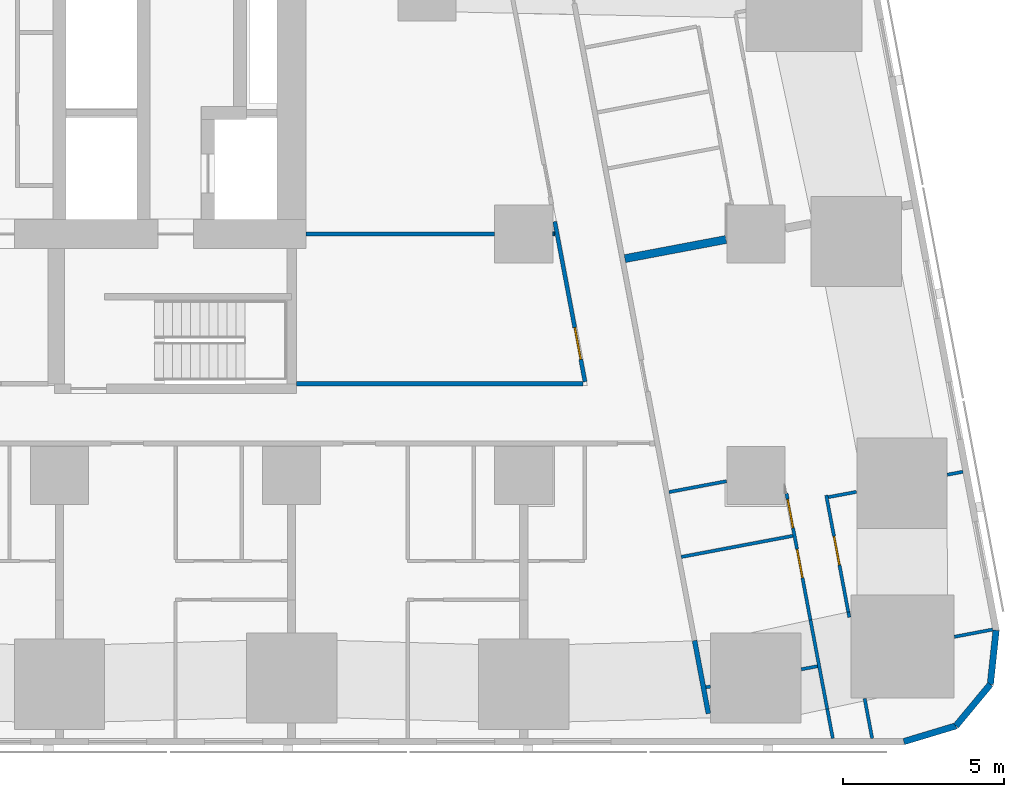
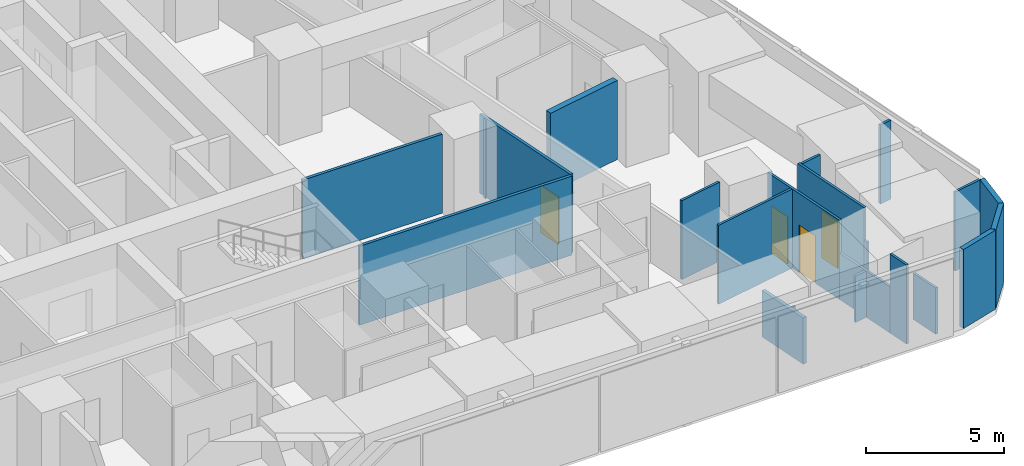
# One storey, part 6 of 15: 22 walls, 4 doors, 4 openings.
"""IFC4 building model written with IfcOpenShell, lengths in metres."""

import ifcopenshell
import ifcopenshell.guid

model = None  # the IFC model being written
_history = None  # IfcOwnerHistory: only IFC2X3 demands one
_inside = {}  # id of a spatial element -> (the spatial element, [elements in it])
_under = {}  # id of a project, library or spatial element -> (it, [spatial elements below it])
_declared = {}  # id of a project -> (the project, [libraries it declares])
_typed = {}  # id of a type object -> (the type object, [elements of that type])
_made_of = {}  # id of a material, layer set ... -> (it, [elements and type objects made of it])


def new_model(schema):
    """Start an empty IFC model of exactly this schema.

    Asked for "IFC4X3", IfcOpenShell would pick the latest addendum, in which some entities
    have other attributes; the version numbers below select the first issue.
    IFC2X3 requires an IfcOwnerHistory on every rooted entity: one is made here for all.
    """
    global model, _history
    if schema == "IFC4X3":
        model = ifcopenshell.file(schema_version=(4, 3, 0, 0))
    else:
        model = ifcopenshell.file(schema=schema)
    _inside.clear()
    _under.clear()
    _declared.clear()
    _typed.clear()
    _made_of.clear()
    _history = None
    if model.schema == "IFC2X3":
        org = make("IfcOrganization", Name="unknown")
        user = make(
            "IfcPersonAndOrganization",
            ThePerson=make("IfcPerson", FamilyName="unknown"),
            TheOrganization=org,
        )
        app = make(
            "IfcApplication",
            ApplicationDeveloper=org,
            Version="unknown",
            ApplicationFullName="unknown",
            ApplicationIdentifier="unknown",
        )
        _history = make(
            "IfcOwnerHistory",
            OwningUser=user,
            OwningApplication=app,
            ChangeAction="ADDED",
            CreationDate=0,
        )
    return model


def make(cls, **values):
    """One entity of the class cls with the attributes given. An attribute that is None is left unset."""
    return model.create_entity(
        cls, **{name: value for name, value in values.items() if value is not None}
    )


def rooted(cls, **values):
    """An entity with a GlobalId (a new one), such as an element, a storey or a relation."""
    return make(cls, GlobalId=ifcopenshell.guid.new(), OwnerHistory=_history, **values)


def si_unit(unit_type, name, prefix=None):
    """IfcSIUnit, for example si_unit("LENGTHUNIT", "METRE", prefix="MILLI")."""
    return make("IfcSIUnit", UnitType=unit_type, Prefix=prefix, Name=name)


def assignment(units):
    """IfcUnitAssignment: the units of a project."""
    return None if units is None else make("IfcUnitAssignment", Units=units)


def point(xyz):
    """IfcCartesianPoint."""
    return None if xyz is None else make("IfcCartesianPoint", Coordinates=xyz)


def direction(xyz):
    """IfcDirection."""
    return None if xyz is None else make("IfcDirection", DirectionRatios=xyz)


def frame(location, z_axis=None, x_axis=None):
    """IfcAxis2Placement3D, a coordinate frame: its origin and axes. An axis left out is left unset."""
    return make(
        "IfcAxis2Placement3D",
        Location=point(location),
        Axis=direction(z_axis),
        RefDirection=direction(x_axis),
    )


def frame_2d(location, x_axis=None):
    """IfcAxis2Placement2D, a coordinate frame in the plane: its origin and x axis."""
    return make(
        "IfcAxis2Placement2D", Location=point(location), RefDirection=direction(x_axis)
    )


def origin():
    """The frame at (0, 0, 0) with its axes left unset."""
    return frame((0.0, 0.0, 0.0))


def place(relative_to, where):
    """IfcLocalPlacement: puts the frame where relative to a parent placement (None: the world)."""
    return make(
        "IfcLocalPlacement", PlacementRelTo=relative_to, RelativePlacement=where
    )


def context(
    kind, dimensions, precision=None, world=None, true_north=None, identifier=None
):
    """IfcGeometricRepresentationContext, for example the 3D "Model" context."""
    return make(
        "IfcGeometricRepresentationContext",
        ContextIdentifier=identifier,
        ContextType=kind,
        CoordinateSpaceDimension=dimensions,
        Precision=precision,
        WorldCoordinateSystem=world,
        TrueNorth=true_north,
    )


def subcontext(parent, identifier, kind, view, scale=None):
    """IfcGeometricRepresentationSubContext, for example "Body" below "Model"."""
    return make(
        "IfcGeometricRepresentationSubContext",
        ContextIdentifier=identifier,
        ContextType=kind,
        ParentContext=parent,
        TargetScale=scale,
        TargetView=view,
    )


def project(units=None, contexts=None):
    """IfcProject with its units and contexts."""
    return rooted(
        "IfcProject",
        Name="project",
        RepresentationContexts=contexts,
        UnitsInContext=assignment(units),
    )


def spatial(cls, under=None, at=None, **own):
    """A site, building, storey or space (cls), placed at a placement, below another one or the project."""
    s = rooted(cls, ObjectPlacement=at, **own)
    if under is not None:
        _under.setdefault(under.id(), (under, []))[1].append(s)
    return s


def profile(cls, at=None, kind="AREA", **sizes):
    """A parametric profile (cls). Its sizes go by their IFC names, for example OverallWidth=200.0."""
    return make(cls, ProfileType=kind, Position=at, **sizes)


def rectangle(**sizes):
    """IfcRectangleProfileDef."""
    return profile("IfcRectangleProfileDef", **sizes)


def extrude(swept, where, along, depth):
    """IfcExtrudedAreaSolid: the profile swept, set in the frame where, extruded along a direction by depth."""
    return make(
        "IfcExtrudedAreaSolid",
        SweptArea=swept,
        Position=where,
        ExtrudedDirection=direction(along),
        Depth=depth,
    )


def shape(context_of_items, identifier, shape_type, items):
    """IfcShapeRepresentation: the items that make up one representation, for example the "Body"."""
    return make(
        "IfcShapeRepresentation",
        ContextOfItems=context_of_items,
        RepresentationIdentifier=identifier,
        RepresentationType=shape_type,
        Items=items,
    )


def material(Name=None, Category=None):
    """IfcMaterial."""
    return make("IfcMaterial", Name=Name, Category=Category)


def layer(
    of_material, thickness, ventilated=None, Name=None, Category=None, Priority=None
):
    """IfcMaterialLayer: one layer of a wall or slab, of a material (None: an air gap)."""
    return make(
        "IfcMaterialLayer",
        Material=of_material,
        LayerThickness=thickness,
        IsVentilated=ventilated,
        Name=Name,
        Category=Category,
        Priority=Priority,
    )


def layer_set(layers, Name=None):
    """IfcMaterialLayerSet."""
    return make("IfcMaterialLayerSet", MaterialLayers=layers, LayerSetName=Name)


def made_of(thing, what):
    """Note that an element or type object is made of a material, layer set ...; save() writes the relation."""
    if what is not None:
        _made_of.setdefault(what.id(), (what, []))[1].append(thing)
    return thing


def type_object(cls, material=None, **own):
    """A type object (cls), such as IfcWallType, which elements share."""
    return made_of(rooted(cls, **own), material)


def element(
    cls,
    number,
    at=None,
    inside=None,
    cuts=None,
    type_object=None,
    material=None,
    context=None,
    identifier="Body",
    shape_type=None,
    held_by="IfcProductDefinitionShape",
    body=None,
    shapes=None,
    **own,
):
    """One element of the class cls, such as IfcWall. Its Tag is "e" and its number.

    at: its placement. inside: the storey or other place that contains it. cuts: it is an
    opening in that element (IfcRelVoidsElement). A single representation is given by context,
    identifier, shape_type and body (its items); several are given by shapes. held_by: the class
    of the entity that holds the representations. save() writes the other relations.
    """
    e = rooted(cls, Tag="e%d" % number, ObjectPlacement=at, **own)
    if body is not None:
        shapes = [shape(context, identifier, shape_type, body)]
    if shapes is not None:
        e.Representation = make(held_by, Representations=shapes)
    if inside is not None:
        _inside.setdefault(inside.id(), (inside, []))[1].append(e)
    if cuts is not None:
        rooted(
            "IfcRelVoidsElement", RelatingBuildingElement=cuts, RelatedOpeningElement=e
        )
    if type_object is not None:
        _typed.setdefault(type_object.id(), (type_object, []))[1].append(e)
    return made_of(e, material)


def fill(opening, filler):
    """IfcRelFillsElement: the door or window that sits in an opening."""
    return rooted(
        "IfcRelFillsElement",
        RelatingOpeningElement=opening,
        RelatedBuildingElement=filler,
    )


def aggregate(whole, parts):
    """IfcRelAggregates: a whole, such as a stair, and the parts it consists of."""
    return rooted("IfcRelAggregates", RelatingObject=whole, RelatedObjects=parts)


def save(model, path):
    """Write the relations noted so far, then the file.

    IfcRelAggregates (storeys below a building ...), IfcRelContainedInSpatialStructure (elements
    in a storey), IfcRelDefinesByType, IfcRelAssociatesMaterial and IfcRelDeclares: one each for
    every whole, place, type object, material and project.
    """
    for whole, parts in _under.values():
        aggregate(whole, parts)
    for where, things in _inside.values():
        rooted(
            "IfcRelContainedInSpatialStructure",
            RelatedElements=things,
            RelatingStructure=where,
        )
    for kind, things in _typed.values():
        rooted("IfcRelDefinesByType", RelatedObjects=things, RelatingType=kind)
    for what, things in _made_of.values():
        rooted("IfcRelAssociatesMaterial", RelatedObjects=things, RelatingMaterial=what)
    for by, libraries in _declared.values():
        rooted("IfcRelDeclares", RelatingContext=by, RelatedDefinitions=libraries)
    model.write(path)


model = new_model("IFC4")

# Units and contexts
model_context = context("Model", 3, precision=1e-05, world=origin(), true_north=direction((0.0, 1.0)))
body_context = subcontext(model_context, "Body", "Model", "MODEL_VIEW")
ifc_project = project(units=[si_unit("LENGTHUNIT", "METRE"), si_unit("AREAUNIT", "SQUARE_METRE"), si_unit("VOLUMEUNIT", "CUBIC_METRE"), si_unit("PLANEANGLEUNIT", "RADIAN"), si_unit("MASSUNIT", "GRAM", prefix="KILO")], contexts=[model_context])

# Site, building, storey
site_placement = place(None, origin())
site = spatial("IfcSite", under=ifc_project, at=site_placement, CompositionType="ELEMENT")
building_placement = place(site_placement, origin())
building = spatial("IfcBuilding", under=site, at=building_placement, Name="Sheger Commons Tower", CompositionType="ELEMENT")
storey_placement = place(building_placement, frame((0.0, 0.0, 42.5)))
storey = spatial("IfcBuildingStorey", under=building, at=storey_placement, Name="L10", CompositionType="ELEMENT", Elevation=42.5)

# Walls
ifc_material_1 = material(Name="Hollow concrete block masonry, skimmed both sides", Category="masonry")
ifc_layer_1 = layer(ifc_material_1, 0.14990234375)
ifc_layer_set_1 = layer_set([ifc_layer_1], Name="CORRIDOR WALL 150")
wall_type_1 = type_object("IfcWallType", Name="CORRIDOR WALL 150", PredefinedType="SOLIDWALL", material=ifc_layer_set_1)
wall_1_placement = place(storey_placement, frame((41.300048828125, 2.385009765625, 0.0), z_axis=(0.0, 0.0, 1.0), x_axis=(0.185170596553, -0.982706390624, 0.0)))
element("IfcWall", 1, at=wall_1_placement, inside=storey, type_object=wall_type_1, Name="Corridor wall L10", PredefinedType="SOLIDWALL", context=body_context, shape_type="SweptSolid", body=[
    extrude(rectangle(XDim=2.305908203125, YDim=0.14990234375, at=frame_2d((1.15283203125, 0.0))), origin(), (0.0, 0.0, 1.0), 2.050048828125),
])
ifc_material_2 = material(Name="Dense concrete block masonry, plastered both sides (separating wall between flats)", Category="masonry")
ifc_layer_2 = layer(ifc_material_2, 0.25)
ifc_layer_set_2 = layer_set([ifc_layer_2], Name="DEMISING WALL 250")
wall_type_2 = type_object("IfcWallType", Name="DEMISING WALL 250", PredefinedType="SOLIDWALL", material=ifc_layer_set_2)
wall_2_placement = place(storey_placement, frame((42.27587890625, 14.824951171875, 0.0), z_axis=(0.0, 0.0, 1.0), x_axis=(-0.982607211054, -0.185696173318, 0.0)))
element("IfcWall", 2, at=wall_2_placement, inside=storey, type_object=wall_type_2, Name="Demising wall L10", PredefinedType="SOLIDWALL", context=body_context, shape_type="SweptSolid", body=[
    extrude(rectangle(XDim=3.193603515625, YDim=0.25, at=frame_2d((1.5966796875, 0.0))), origin(), (0.0, 0.0, 1.0), 3.5),
])
ifc_material_3 = material(Name="Rendered concrete block masonry, dark grey", Category="masonry")
ifc_layer_3 = layer(ifc_material_3, 0.199951171875)
ifc_layer_set_3 = layer_set([ifc_layer_3], Name="FACADE WALL 200")
wall_type_3 = type_object("IfcWallType", Name="FACADE WALL 200", PredefinedType="SOLIDWALL", material=ifc_layer_set_3)
wall_3_placement = place(storey_placement, frame((47.791015625, -0.75, 0.0), z_axis=(0.0, 0.0, 1.0), x_axis=(0.957455232626, 0.288581838509, 0.0)))
element("IfcWall", 3, at=wall_3_placement, inside=storey, type_object=wall_type_3, Name="Facade wall L10", PredefinedType="SOLIDWALL", context=body_context, shape_type="SweptSolid", body=[
    extrude(rectangle(XDim=1.687744140625, YDim=0.199951171875, at=frame_2d((0.84375, 0.0))), origin(), (0.0, 0.0, 1.0), 3.5),
])
wall_4_placement = place(storey_placement, frame((49.406982421875, -0.262939453125, 0.0), z_axis=(0.0, 0.0, 1.0), x_axis=(0.638042593423, 0.770001070764, 0.0)))
element("IfcWall", 4, at=wall_4_placement, inside=storey, type_object=wall_type_3, Name="Facade wall L10", PredefinedType="SOLIDWALL", context=body_context, shape_type="SweptSolid", body=[
    extrude(rectangle(XDim=1.672607421875, YDim=0.199951171875, at=frame_2d((0.83642578125, 0.0))), origin(), (0.0, 0.0, 1.0), 3.5),
])
wall_5_placement = place(storey_placement, frame((50.47412109375, 1.02490234375, 0.0), z_axis=(0.0, 0.0, 1.0), x_axis=(0.106047815515, 0.994361031429, 0.0)))
element("IfcWall", 5, at=wall_5_placement, inside=storey, type_object=wall_type_3, Name="Facade wall L10", PredefinedType="SOLIDWALL", context=body_context, shape_type="SweptSolid", body=[
    extrude(rectangle(XDim=1.6875, YDim=0.199951171875, at=frame_2d((0.84375, 0.0))), origin(), (0.0, 0.0, 1.0), 3.5),
])

# Wall, opening, door
ifc_material_4 = material(Name="Gypsum board on steel studs", Category="steel")
ifc_layer_4 = layer(ifc_material_4, 0.10009765625)
ifc_layer_set_4 = layer_set([ifc_layer_4], Name="PARTITION 100")
wall_type_4 = type_object("IfcWallType", Name="PARTITION 100", PredefinedType="PARTITIONING", material=ifc_layer_set_4)
wall_6_placement = place(storey_placement, frame((45.383056640625, 6.89404296875, 0.0), z_axis=(0.0, 0.0, 1.0), x_axis=(0.185791461635, -0.982589198385, 0.0)))
wall_6 = element("IfcWall", 6, at=wall_6_placement, inside=storey, type_object=wall_type_4, Name="Partition L10", PredefinedType="PARTITIONING", context=body_context, shape_type="SweptSolid", body=[
    extrude(rectangle(XDim=3.687255859375, YDim=0.10009765625, at=frame_2d((1.84375, 0.0))), origin(), (0.0, 0.0, 1.0), 3.5),
])
opening_1_placement = place(wall_6_placement, frame((1.300048828125, 0.0, 0.0)))
opening_1 = element("IfcOpeningElement", 7, at=opening_1_placement, cuts=wall_6, Name="Opening D2", PredefinedType="OPENING", context=body_context, shape_type="SweptSolid", body=[
    extrude(rectangle(XDim=0.89990234375, YDim=2.10009765625, at=frame_2d((0.449951171875, 1.050048828125))), frame((0.0, 0.06005859375, 0.0), z_axis=(0.0, -1.0, 0.0), x_axis=(1.0, 0.0, 0.0)), (0.0, 0.0, 1.0), 0.1201171875),
])
ifc_material_5 = material(Name="Timber door set", Category="wood")
door_type_1 = type_object("IfcDoorType", Name="INTERNAL DOOR 900x2100", OperationType="NOTDEFINED", PredefinedType="DOOR", material=ifc_material_5)
door_1_placement = place(opening_1_placement, origin())
door_1 = element("IfcDoor", 8, at=door_1_placement, inside=storey, type_object=door_type_1, Name="Main bedroom door", OperationType="SINGLE_SWING_LEFT", OverallHeight=2.10009765625, OverallWidth=0.89990234375, PredefinedType="DOOR", context=body_context, shape_type="SweptSolid", body=[
    extrude(rectangle(XDim=0.89990234375, YDim=2.10009765625, at=frame_2d((0.449951171875, 1.050048828125))), frame((0.0, 0.02490234375, 0.0), z_axis=(0.0, -1.0, 0.0), x_axis=(1.0, 0.0, 0.0)), (0.0, 0.0, 1.0), 0.050048828125),
])
fill(opening_1, door_1)

# Walls
wall_7_placement = place(storey_placement, frame((46.068115234375, 3.27099609375, 0.0), z_axis=(0.0, 0.0, 1.0), x_axis=(0.183590240121, -0.98300286049, 0.0)))
element("IfcWall", 9, at=wall_7_placement, inside=storey, type_object=wall_type_4, Name="Partition L10", PredefinedType="PARTITIONING", context=body_context, shape_type="SweptSolid", body=[
    extrude(rectangle(XDim=0.1689453125, YDim=0.10009765625, at=frame_2d((0.08447265625, 0.0))), origin(), (0.0, 0.0, 1.0), 2.050048828125),
])
wall_8_placement = place(storey_placement, frame((46.573974609375, 0.5869140625, 0.0), z_axis=(0.0, 0.0, 1.0), x_axis=(0.185997942803, -0.98255013372, 0.0)))
element("IfcWall", 10, at=wall_8_placement, inside=storey, type_object=wall_type_4, Name="Partition L10", PredefinedType="PARTITIONING", context=body_context, shape_type="SweptSolid", body=[
    extrude(rectangle(XDim=1.2587890625, YDim=0.10009765625, at=frame_2d((0.62939453125, 0.0))), origin(), (0.0, 0.0, 1.0), 2.050048828125),
])

# Wall, openings, doors
wall_9_placement = place(storey_placement, frame((44.14892578125, 6.9599609375, 0.0), z_axis=(0.0, 0.0, 1.0), x_axis=(0.185824941804, -0.982582867245, 0.0)))
wall_9 = element("IfcWall", 11, at=wall_9_placement, inside=storey, type_object=wall_type_4, Name="Partition L10", PredefinedType="PARTITIONING", context=body_context, shape_type="SweptSolid", body=[
    extrude(rectangle(XDim=4.009765625, YDim=0.10009765625, at=frame_2d((2.0048828125, 0.0))), origin(), (0.0, 0.0, 1.0), 3.5),
])
opening_2_placement = place(wall_9_placement, frame((0.199951171875, 0.0, 0.0)))
opening_2 = element("IfcOpeningElement", 12, at=opening_2_placement, cuts=wall_9, Name="Opening D2", PredefinedType="OPENING", context=body_context, shape_type="SweptSolid", body=[
    extrude(rectangle(XDim=0.89990234375, YDim=2.10009765625, at=frame_2d((0.449951171875, 1.050048828125))), frame((0.0, 0.06005859375, 0.0), z_axis=(0.0, -1.0, 0.0), x_axis=(1.0, 0.0, 0.0)), (0.0, 0.0, 1.0), 0.1201171875),
])
opening_3_placement = place(wall_9_placement, frame((1.77587890625, 0.0, 0.0)))
opening_3 = element("IfcOpeningElement", 13, at=opening_3_placement, cuts=wall_9, Name="Opening D2", PredefinedType="OPENING", context=body_context, shape_type="SweptSolid", body=[
    extrude(rectangle(XDim=0.89990234375, YDim=2.10009765625, at=frame_2d((0.449951171875, 1.050048828125))), frame((0.0, 0.06005859375, 0.0), z_axis=(0.0, -1.0, 0.0), x_axis=(1.0, 0.0, 0.0)), (0.0, 0.0, 1.0), 0.1201171875),
])
door_2_placement = place(opening_2_placement, origin())
door_2 = element("IfcDoor", 14, at=door_2_placement, inside=storey, type_object=door_type_1, Name="Bathroom door", OperationType="SINGLE_SWING_LEFT", OverallHeight=2.10009765625, OverallWidth=0.89990234375, PredefinedType="DOOR", context=body_context, shape_type="SweptSolid", body=[
    extrude(rectangle(XDim=0.89990234375, YDim=2.10009765625, at=frame_2d((0.449951171875, 1.050048828125))), frame((0.0, 0.02490234375, 0.0), z_axis=(0.0, -1.0, 0.0), x_axis=(1.0, 0.0, 0.0)), (0.0, 0.0, 1.0), 0.050048828125),
])
fill(opening_2, door_2)
door_3_placement = place(opening_3_placement, origin())
door_3 = element("IfcDoor", 15, at=door_3_placement, inside=storey, type_object=door_type_1, Name="Store door", OperationType="SINGLE_SWING_RIGHT", OverallHeight=2.10009765625, OverallWidth=0.89990234375, PredefinedType="DOOR", context=body_context, shape_type="SweptSolid", body=[
    extrude(rectangle(XDim=0.89990234375, YDim=2.10009765625, at=frame_2d((0.449951171875, 1.050048828125))), frame((0.0, 0.02490234375, 0.0), z_axis=(0.0, -1.0, 0.0), x_axis=(1.0, 0.0, 0.0)), (0.0, 0.0, 1.0), 0.050048828125),
])
fill(opening_3, door_3)

# Walls
wall_10_placement = place(storey_placement, frame((44.89404296875, 3.02001953125, 0.0), z_axis=(0.0, 0.0, 1.0), x_axis=(0.185471317237, -0.982649678412, 0.0)))
element("IfcWall", 16, at=wall_10_placement, inside=storey, type_object=wall_type_4, Name="Partition L10", PredefinedType="PARTITIONING", context=body_context, shape_type="SweptSolid", body=[
    extrude(rectangle(XDim=2.8037109375, YDim=0.10009765625, at=frame_2d((1.40185546875, 0.0))), origin(), (0.0, 0.0, 1.0), 2.050048828125),
])
wall_11_placement = place(storey_placement, frame((45.4140625, 0.264892578125, 0.0), z_axis=(0.0, 0.0, 1.0), x_axis=(0.185665855771, -0.982612940074, 0.0)))
element("IfcWall", 17, at=wall_11_placement, inside=storey, type_object=wall_type_4, Name="Partition L10", PredefinedType="PARTITIONING", context=body_context, shape_type="SweptSolid", body=[
    extrude(rectangle(XDim=0.930908203125, YDim=0.10009765625, at=frame_2d((0.46533203125, 0.0))), origin(), (0.0, 0.0, 1.0), 3.5),
])
wall_12_placement = place(storey_placement, frame((49.6220703125, 7.6201171875, 0.0), z_axis=(0.0, 0.0, 1.0), x_axis=(-0.982629142467, -0.185580086147, 0.0)))
element("IfcWall", 18, at=wall_12_placement, inside=storey, type_object=wall_type_4, Name="Partition L10", PredefinedType="PARTITIONING", context=body_context, shape_type="SweptSolid", body=[
    extrude(rectangle(XDim=0.49072265625, YDim=0.10009765625, at=frame_2d((0.245361328125, 0.0))), origin(), (0.0, 0.0, 1.0), 3.5),
])
wall_13_placement = place(storey_placement, frame((46.320068359375, 6.9970703125, 0.0), z_axis=(0.0, 0.0, 1.0), x_axis=(-0.982635224332, -0.185547880349, 0.0)))
element("IfcWall", 19, at=wall_13_placement, inside=storey, type_object=wall_type_4, Name="Partition L10", PredefinedType="PARTITIONING", context=body_context, shape_type="SweptSolid", body=[
    extrude(rectangle(XDim=0.889404296875, YDim=0.10009765625, at=frame_2d((0.44482421875, 0.0))), origin(), (0.0, 0.0, 1.0), 3.5),
])
wall_14_placement = place(storey_placement, frame((50.547119140625, 2.72607421875, 0.0), z_axis=(0.0, 0.0, 1.0), x_axis=(-0.982553313503, -0.185981144539, 0.0)))
element("IfcWall", 20, at=wall_14_placement, inside=storey, type_object=wall_type_4, Name="Partition L10", PredefinedType="PARTITIONING", context=body_context, shape_type="SweptSolid", body=[
    extrude(rectangle(XDim=1.210205078125, YDim=0.10009765625, at=frame_2d((0.60498046875, 0.0))), origin(), (0.0, 0.0, 1.0), 3.5),
])
wall_15_placement = place(storey_placement, frame((42.2900390625, 7.327880859375, 0.0), z_axis=(0.0, 0.0, 1.0), x_axis=(-0.98262927905, -0.185579362952, 0.0)))
element("IfcWall", 21, at=wall_15_placement, inside=storey, type_object=wall_type_4, Name="Partition L10", PredefinedType="PARTITIONING", context=body_context, shape_type="SweptSolid", body=[
    extrude(rectangle(XDim=1.8154296875, YDim=0.10009765625, at=frame_2d((0.90771484375, 0.0))), origin(), (0.0, 0.0, 1.0), 3.5),
])
wall_16_placement = place(storey_placement, frame((45.114013671875, 1.5869140625, 0.0), z_axis=(0.0, 0.0, 1.0), x_axis=(-0.982699277433, -0.185208342501, 0.0)))
element("IfcWall", 22, at=wall_16_placement, inside=storey, type_object=wall_type_4, Name="Partition L10", PredefinedType="PARTITIONING", context=body_context, shape_type="SweptSolid", body=[
    extrude(rectangle(XDim=0.5126953125, YDim=0.10009765625, at=frame_2d((0.25634765625, 0.0))), origin(), (0.0, 0.0, 1.0), 2.050048828125),
])
wall_17_placement = place(storey_placement, frame((41.7900390625, 0.958984375, 0.0), z_axis=(0.0, 0.0, 1.0), x_axis=(-0.983372768072, -0.181598455428, 0.0)))
element("IfcWall", 23, at=wall_17_placement, inside=storey, type_object=wall_type_4, Name="Partition L10", PredefinedType="PARTITIONING", context=body_context, shape_type="SweptSolid", body=[
    extrude(rectangle(XDim=0.142578125, YDim=0.10009765625, at=frame_2d((0.0712890625, 0.0))), origin(), (0.0, 0.0, 1.0), 2.050048828125),
])
wall_18_placement = place(storey_placement, frame((44.34912109375, 5.631103515625, 0.0), z_axis=(0.0, 0.0, 1.0), x_axis=(-0.982629014545, -0.18558076348, 0.0)))
element("IfcWall", 24, at=wall_18_placement, inside=storey, type_object=wall_type_4, Name="Partition L10", PredefinedType="PARTITIONING", context=body_context, shape_type="SweptSolid", body=[
    extrude(rectangle(XDim=3.5244140625, YDim=0.10009765625, at=frame_2d((1.76220703125, 0.0))), origin(), (0.0, 0.0, 1.0), 3.5),
])
ifc_material_6 = material(Name="Gypsum board on steel studs, two layers each side, fire rated", Category="steel")
ifc_layer_5 = layer(ifc_material_6, 0.125)
ifc_layer_set_5 = layer_set([ifc_layer_5], Name="SERVICE WALL 125")
wall_type_5 = type_object("IfcWallType", Name="SERVICE WALL 125", PredefinedType="PARTITIONING", material=ifc_layer_set_5)
wall_19_placement = place(storey_placement, frame((28.949951171875, 10.35009765625, 0.0), z_axis=(0.0, 0.0, 1.0), x_axis=(1.0, 0.0, 0.0)))
element("IfcWall", 25, at=wall_19_placement, inside=storey, type_object=wall_type_5, Name="Service room wall L10", PredefinedType="PARTITIONING", context=body_context, shape_type="SweptSolid", body=[
    extrude(rectangle(XDim=8.885986328125, YDim=0.125, at=frame_2d((4.44287109375, 0.0))), origin(), (0.0, 0.0, 1.0), 3.5),
])

# Wall, opening, door
wall_20_placement = place(storey_placement, frame((37.89990234375, 10.4130859375, 0.0), z_axis=(0.0, 0.0, 1.0), x_axis=(-0.185527510388, 0.982639070508, 0.0)))
wall_20 = element("IfcWall", 26, at=wall_20_placement, inside=storey, type_object=wall_type_5, Name="Service room wall L10", PredefinedType="PARTITIONING", context=body_context, shape_type="SweptSolid", body=[
    extrude(rectangle(XDim=5.055908203125, YDim=0.125, at=frame_2d((2.52783203125, 0.0))), origin(), (0.0, 0.0, 1.0), 3.5),
])
opening_4_placement = place(wall_20_placement, frame((0.7080078125, 0.0, 0.0)))
opening_4 = element("IfcOpeningElement", 27, at=opening_4_placement, cuts=wall_20, Name="Opening D4", PredefinedType="OPENING", context=body_context, shape_type="SweptSolid", body=[
    extrude(rectangle(XDim=1.0, YDim=2.10009765625, at=frame_2d((0.5, 1.050048828125))), frame((0.0, 0.072509765625, 0.0), z_axis=(0.0, -1.0, 0.0), x_axis=(1.0, 0.0, 0.0)), (0.0, 0.0, 1.0), 0.14501953125),
])
ifc_material_7 = material(Name="Steel door set, fire rated", Category="steel")
door_type_2 = type_object("IfcDoorType", Name="SERVICE DOOR 1000x2100", OperationType="NOTDEFINED", PredefinedType="DOOR", material=ifc_material_7)
door_4_placement = place(opening_4_placement, origin())
door_4 = element("IfcDoor", 28, at=door_4_placement, inside=storey, type_object=door_type_2, Name="Residents' study room door", OperationType="SINGLE_SWING_LEFT", OverallHeight=2.10009765625, OverallWidth=1.0, PredefinedType="DOOR", context=body_context, shape_type="SweptSolid", body=[
    extrude(rectangle(XDim=1.0, YDim=2.10009765625, at=frame_2d((0.5, 1.050048828125))), frame((0.0, 0.02490234375, 0.0), z_axis=(0.0, -1.0, 0.0), x_axis=(1.0, 0.0, 0.0)), (0.0, 0.0, 1.0), 0.050048828125),
])
fill(opening_4, door_4)

# Walls
wall_21_placement = place(storey_placement, frame((29.25, 15.0, 0.0), z_axis=(0.0, 0.0, 1.0), x_axis=(1.0, 0.0, 0.0)))
element("IfcWall", 29, at=wall_21_placement, inside=storey, type_object=wall_type_5, Name="Service room wall L10", PredefinedType="PARTITIONING", context=body_context, shape_type="SweptSolid", body=[
    extrude(rectangle(XDim=5.84912109375, YDim=0.125, at=frame_2d((2.924560546875, 0.0))), origin(), (0.0, 0.0, 1.0), 3.5),
])
wall_22_placement = place(storey_placement, frame((36.90087890625, 15.0, 0.0), z_axis=(0.0, 0.0, 1.0), x_axis=(1.0, 0.0, 0.0)))
element("IfcWall", 30, at=wall_22_placement, inside=storey, type_object=wall_type_5, Name="Service room wall L10", PredefinedType="PARTITIONING", context=body_context, shape_type="SweptSolid", body=[
    extrude(rectangle(XDim=0.05712890625, YDim=0.125, at=frame_2d((0.028564453125, 0.0))), origin(), (0.0, 0.0, 1.0), 3.5),
])

save(model, "model.ifc")
